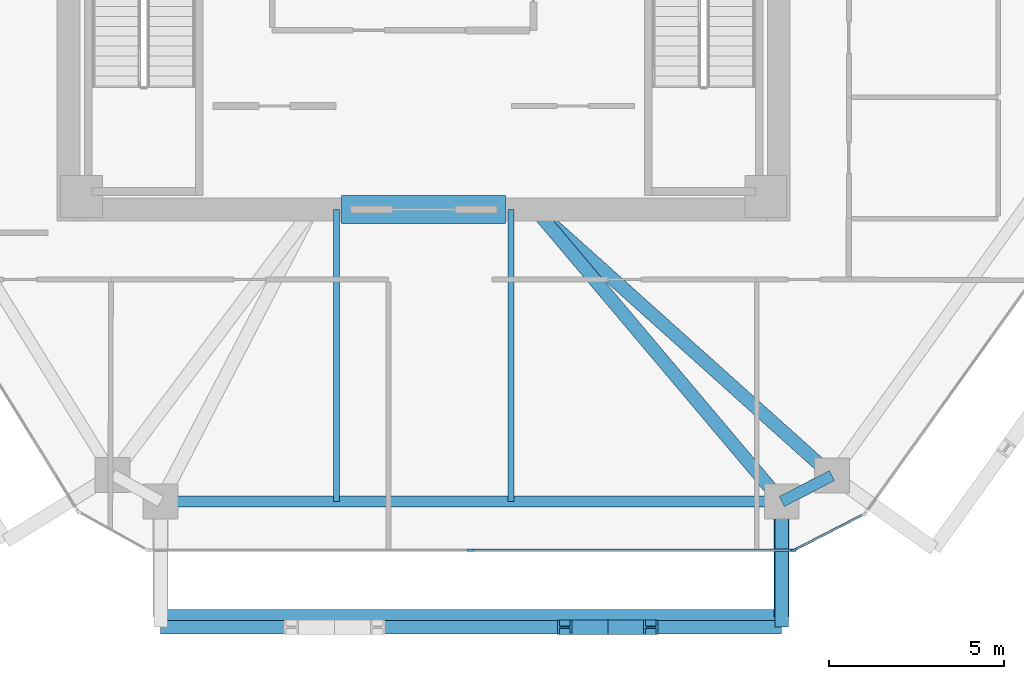
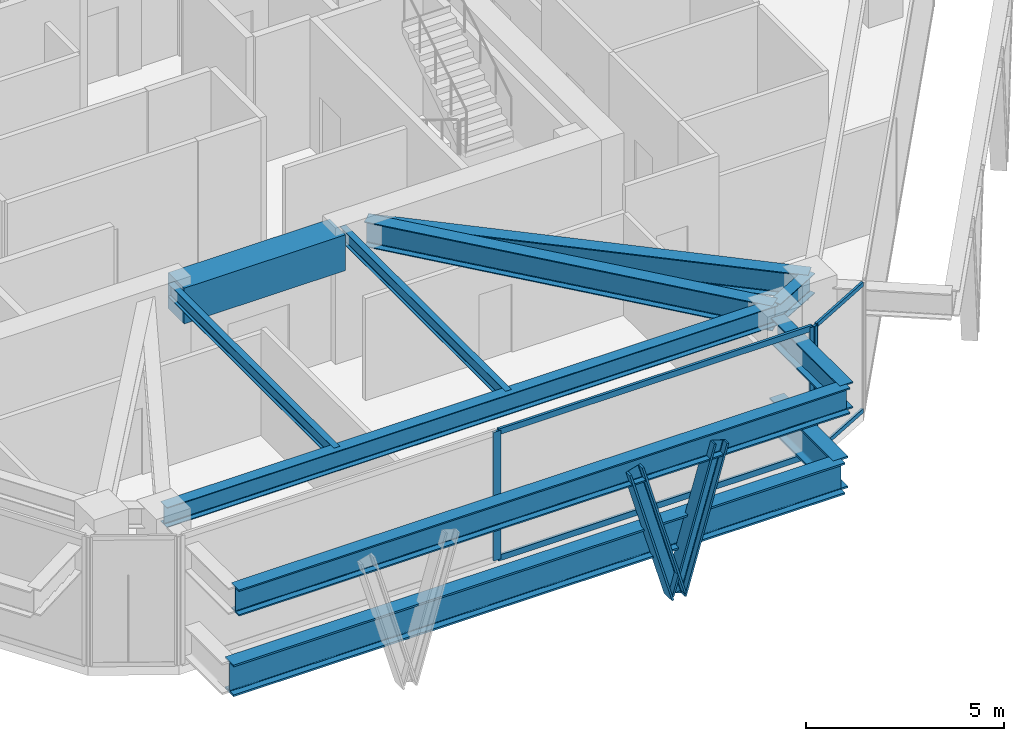
# One storey, part 3 of 11: 11 beams, 9 members, 2 elements without a shape of their own.
"""IFC4 building model written with IfcOpenShell, lengths in metres."""

from ifc_helpers import new_model, si_unit, direction, frame, origin, origin_2d, place, context, subcontext, project, spatial, rectangle, i_section, extrude, source, transform, mapped, material, layer, layer_set, material_profile, profile_set, type_object, type_shapes, element, aggregate, save


model = new_model("IFC4")

# Units and contexts
model_context = context("Model", 3, precision=1e-05, world=origin(), true_north=direction((0.0, 1.0)))
body_context = subcontext(model_context, "Body", "Model", "MODEL_VIEW")
ifc_project = project(units=[si_unit("LENGTHUNIT", "METRE"), si_unit("AREAUNIT", "SQUARE_METRE"), si_unit("VOLUMEUNIT", "CUBIC_METRE"), si_unit("PLANEANGLEUNIT", "RADIAN"), si_unit("MASSUNIT", "GRAM", prefix="KILO")], contexts=[model_context])

# Site, building, storey
site_placement = place(None, origin())
site = spatial("IfcSite", under=ifc_project, at=site_placement, CompositionType="ELEMENT")
building_placement = place(site_placement, origin())
building = spatial("IfcBuilding", under=site, at=building_placement, Name="Durnholm Broadcast Tower", CompositionType="ELEMENT")
storey_placement = place(building_placement, frame((0.0, 0.0, 155.10009765625)))
storey = spatial("IfcBuildingStorey", under=building, at=storey_placement, Name="L42", CompositionType="ELEMENT", Elevation=155.10009765625)

# Beams
ifc_material_1 = material(Name="Steel ASTM A992 Grade 50", Category="steel")
ifc_material_profile_1 = material_profile(ifc_material_1, i_section(OverallWidth=0.385009765625, OverallDepth=0.802978515625, WebThickness=0.023681640625, FlangeThickness=0.0419921875, FilletRadius=0.032958984375, at=origin_2d()), Name="W30X261")
ifc_profile_set_1 = profile_set([ifc_material_profile_1], Name="Steel ASTM A992 Grade 50")
beam_type_1 = type_object("IfcBeamType", Name="BM-EXO-TIE", PredefinedType="USERDEFINED", material=ifc_profile_set_1)
shared_shape_1 = source(origin(), body_context, "Body", "SweptSolid", [
    extrude(i_section(OverallWidth=0.385009765625, OverallDepth=0.802978515625, WebThickness=0.023681640625, FlangeThickness=0.0419921875, FilletRadius=0.032958984375, at=origin_2d()), origin(), (0.0, 0.0, 1.0), 3.4560546875),
])
beam_1_placement = place(storey_placement, frame((10.256591796875, -16.68603515625, 3.20849609375), z_axis=(0.0, -1.0, 0.0), x_axis=(1.0, 0.0, 0.0)))
element("IfcBeam", 1, at=beam_1_placement, inside=storey, type_object=beam_type_1, Name="L42 exoskeleton stand-off tie bracket F1.2", ObjectType="GIRDER", PredefinedType="USERDEFINED", context=body_context, shape_type="MappedRepresentation", body=[
    mapped(shared_shape_1, transform((0.0, 0.0, 0.0), x_axis=(1.0, 0.0, 0.0), y_axis=(0.0, 1.0, 0.0), z_axis=(0.0, 0.0, 1.0), scale=1.0)),
])
ifc_material_2 = material(Name="Concrete C70/85", Category="concrete")
ifc_material_profile_2 = material_profile(ifc_material_2, rectangle(XDim=0.800048828125, YDim=1.10009765625, at=origin_2d()), Name="RC800X1100")
ifc_profile_set_2 = profile_set([ifc_material_profile_2], Name="Concrete C70/85")
beam_type_2 = type_object("IfcBeamType", Name="BM-CB-RC1100", PredefinedType="LINTEL", material=ifc_profile_set_2)
shared_shape_2 = source(origin(), body_context, "Body", "SweptSolid", [
    extrude(rectangle(XDim=0.800048828125, YDim=1.10009765625, at=origin_2d()), origin(), (0.0, 0.0, 1.0), 4.7001953125),
])
type_shapes(beam_type_2, [shared_shape_2])
beam_2_placement = place(storey_placement, frame((-2.35009765625, -8.175048828125, 3.40478515625), z_axis=(1.0, 0.0, 0.0), x_axis=(0.0, 1.0, 0.0)))
element("IfcBeam", 2, at=beam_2_placement, inside=storey, type_object=beam_type_2, Name="L42 south core coupling lintel beam CB-S", PredefinedType="LINTEL", context=body_context, shape_type="MappedRepresentation", body=[
    mapped(shared_shape_2, transform((0.0, 0.0, 0.0), x_axis=(1.0, 0.0, 0.0), y_axis=(0.0, 1.0, 0.0), z_axis=(0.0, 0.0, 1.0), scale=1.0)),
])
ifc_material_profile_3 = material_profile(ifc_material_1, i_section(OverallWidth=0.3251953125, OverallDepth=0.6162109375, WebThickness=0.013916015625, FlangeThickness=0.021484375, FilletRadius=0.02783203125, at=origin_2d()), Name="W24X117")
ifc_profile_set_3 = profile_set([ifc_material_profile_3], Name="Steel ASTM A992 Grade 50")
beam_type_3 = type_object("IfcBeamType", Name="STL-SP-W24X117", PredefinedType="SPANDREL", material=ifc_profile_set_3)
shared_shape_3 = source(origin(), body_context, "Body", "SweptSolid", [
    extrude(i_section(OverallWidth=0.3251953125, OverallDepth=0.6162109375, WebThickness=0.013916015625, FlangeThickness=0.021484375, FilletRadius=0.02783203125, at=origin_2d()), origin(), (0.0, 0.0, 1.0), 1.62255859375),
])
beam_3_placement = place(storey_placement, frame((11.69970703125, -15.80029296875, 3.63671875), z_axis=(-0.889406668864, -0.45711680934, 0.0), x_axis=(0.45711680934, -0.889406668864, 0.0)))
element("IfcBeam", 3, at=beam_3_placement, inside=storey, type_object=beam_type_3, Name="L42 perimeter spandrel girder 10", PredefinedType="SPANDREL", context=body_context, shape_type="MappedRepresentation", body=[
    mapped(shared_shape_3, transform((0.0, 0.0, 0.0), x_axis=(1.0, 0.0, 0.0), y_axis=(0.0, 1.0, 0.0), z_axis=(0.0, 0.0, 1.0), scale=1.0)),
])
shared_shape_4 = source(origin(), body_context, "Body", "SweptSolid", [
    extrude(i_section(OverallWidth=0.3251953125, OverallDepth=0.6162109375, WebThickness=0.013916015625, FlangeThickness=0.021484375, FilletRadius=0.02783203125, at=origin_2d()), origin(), (0.0, 0.0, 1.0), 17.796142578125),
])
type_shapes(beam_type_3, [shared_shape_3, shared_shape_4])
beam_4_placement = place(storey_placement, frame((10.256591796875, -16.5419921875, 3.63671875), z_axis=(-1.0, 0.0, 0.0), x_axis=(0.0, -1.0, 0.0)))
element("IfcBeam", 4, at=beam_4_placement, inside=storey, type_object=beam_type_3, Name="L42 perimeter spandrel girder 11", PredefinedType="SPANDREL", context=body_context, shape_type="MappedRepresentation", body=[
    mapped(shared_shape_4, transform((0.0, 0.0, 0.0), x_axis=(1.0, 0.0, 0.0), y_axis=(0.0, 1.0, 0.0), z_axis=(0.0, 0.0, 1.0), scale=1.0)),
])
shared_shape_5 = source(origin(), body_context, "Body", "SweptSolid", [
    extrude(i_section(OverallWidth=0.385009765625, OverallDepth=0.802978515625, WebThickness=0.023681640625, FlangeThickness=0.0419921875, FilletRadius=0.032958984375, at=origin_2d()), origin(), (0.0, 0.0, 1.0), 17.796142578125),
])
type_shapes(beam_type_1, [shared_shape_1, shared_shape_5])
beam_5_placement = place(storey_placement, frame((-7.53955078125, -20.14208984375, 3.20849609375), z_axis=(1.0, 0.0, 0.0), x_axis=(0.0, 1.0, 0.0)))
element("IfcBeam", 5, at=beam_5_placement, inside=storey, type_object=beam_type_1, Name="L42 exoskeleton collector spandrel F1", PredefinedType="SPANDREL", context=body_context, shape_type="MappedRepresentation", body=[
    mapped(shared_shape_5, transform((0.0, 0.0, 0.0), x_axis=(1.0, 0.0, 0.0), y_axis=(0.0, 1.0, 0.0), z_axis=(0.0, 0.0, 1.0), scale=1.0)),
])
ifc_material_profile_4 = material_profile(ifc_material_1, i_section(OverallWidth=0.380615234375, OverallDepth=0.773193359375, WebThickness=0.0166015625, FlangeThickness=0.027099609375, FilletRadius=0.032958984375, at=origin_2d()), Name="W30X173")
ifc_profile_set_4 = profile_set([ifc_material_profile_4], Name="Steel ASTM A992 Grade 50")
beam_type_4 = type_object("IfcBeamType", Name="STL-GR-W30X173", PredefinedType="USERDEFINED", material=ifc_profile_set_4)
shared_shape_6 = source(origin(), body_context, "Body", "SweptSolid", [
    extrude(i_section(OverallWidth=0.380615234375, OverallDepth=0.773193359375, WebThickness=0.0166015625, FlangeThickness=0.027099609375, FilletRadius=0.032958984375, at=origin_2d()), origin(), (0.0, 0.0, 1.0), 11.4189453125),
])
beam_6_placement = place(storey_placement, frame((3.199951171875, -8.175048828125, 3.558349609375), z_axis=(0.744361631918, -0.667776729849, 0.0), x_axis=(0.667776729849, 0.744361631918, 0.0)))
element("IfcBeam", 6, at=beam_6_placement, inside=storey, type_object=beam_type_4, Name="L42 radial primary floor girder 10", ObjectType="GIRDER", PredefinedType="USERDEFINED", context=body_context, shape_type="MappedRepresentation", body=[
    mapped(shared_shape_6, transform((0.0, 0.0, 0.0), x_axis=(1.0, 0.0, 0.0), y_axis=(0.0, 1.0, 0.0), z_axis=(0.0, 0.0, 1.0), scale=1.0)),
])
shared_shape_7 = source(origin(), body_context, "Body", "SweptSolid", [
    extrude(i_section(OverallWidth=0.380615234375, OverallDepth=0.773193359375, WebThickness=0.0166015625, FlangeThickness=0.027099609375, FilletRadius=0.032958984375, at=origin_2d()), origin(), (0.0, 0.0, 1.0), 10.9453125),
])
type_shapes(beam_type_4, [shared_shape_6, shared_shape_7])
beam_7_placement = place(storey_placement, frame((3.199951171875, -8.175048828125, 3.558349609375), z_axis=(0.644712536066, -0.764425108065, 0.0), x_axis=(0.764425108065, 0.644712536066, 0.0)))
element("IfcBeam", 7, at=beam_7_placement, inside=storey, type_object=beam_type_4, Name="L42 radial primary floor girder 11", ObjectType="GIRDER", PredefinedType="USERDEFINED", context=body_context, shape_type="MappedRepresentation", body=[
    mapped(shared_shape_7, transform((0.0, 0.0, 0.0), x_axis=(1.0, 0.0, 0.0), y_axis=(0.0, 1.0, 0.0), z_axis=(0.0, 0.0, 1.0), scale=1.0)),
])
ifc_material_profile_5 = material_profile(ifc_material_1, i_section(OverallWidth=0.177734375, OverallDepth=0.40673828125, WebThickness=0.0078125, FlangeThickness=0.0126953125, FilletRadius=0.01904296875, at=origin_2d()), Name="W16X40")
ifc_profile_set_5 = profile_set([ifc_material_profile_5], Name="Steel ASTM A992 Grade 50")
beam_type_5 = type_object("IfcBeamType", Name="STL-BJ-W16X40", PredefinedType="JOIST", material=ifc_profile_set_5)
shared_shape_8 = source(origin(), body_context, "Body", "SweptSolid", [
    extrude(i_section(OverallWidth=0.177734375, OverallDepth=0.40673828125, WebThickness=0.0078125, FlangeThickness=0.0126953125, FilletRadius=0.01904296875, at=origin_2d()), origin(), (0.0, 0.0, 1.0), 8.366943359375),
])
type_shapes(beam_type_5, [shared_shape_8])
for number, where, z_axis, x_axis, name in (
    (8, (-2.5, -16.5419921875, 3.74169921875), (0.0, 1.0, 0.0), (-1.0, 0.0, 0.0), "L42 secondary floor joist 5.1"),
    (9, (2.5, -16.5419921875, 3.74169921875), (0.0, 1.0, 0.0), (-1.0, 0.0, 0.0), "L42 secondary floor joist 6.1"),
):
    element("IfcBeam", number, at=place(storey_placement, frame(where, z_axis=z_axis, x_axis=x_axis)), inside=storey, type_object=beam_type_5, Name=name, PredefinedType="JOIST", context=body_context, shape_type="MappedRepresentation", body=[
        mapped(shared_shape_8, transform((0.0, 0.0, 0.0), x_axis=(1.0, 0.0, 0.0), y_axis=(0.0, 1.0, 0.0), z_axis=(0.0, 0.0, 1.0), scale=1.0)),
    ])

# Members
ifc_material_3 = material(Name="Steel ASTM A913 Grade 65", Category="steel")
ifc_material_profile_6 = material_profile(ifc_material_3, i_section(OverallWidth=0.412109375, OverallDepth=0.434814453125, WebThickness=0.035888671875, FlangeThickness=0.057373046875, FilletRadius=0.030517578125, at=origin_2d()), Name="W14X311")
ifc_profile_set_6 = profile_set([ifc_material_profile_6], Name="Steel ASTM A913 Grade 65")
member_type_1 = type_object("IfcMemberType", Name="STL-DG-W14X311", PredefinedType="BRACE", material=ifc_profile_set_6)
shared_shape_9 = source(origin(), body_context, "Body", "SweptSolid", [
    extrude(i_section(OverallWidth=0.412109375, OverallDepth=0.434814453125, WebThickness=0.035888671875, FlangeThickness=0.057373046875, FilletRadius=0.030517578125, at=origin_2d()), origin(), (0.0, 0.0, 1.0), 4.454345703125),
])
type_shapes(member_type_1, [shared_shape_9])
for number, where, z_axis, x_axis, name in (
    (10, (5.273681640625, -20.14208984375, -1.071533203125), (-0.277007876945, 0.0, 0.960867647551), (0.0, -1.0, 0.0), "L42 stand-off diagrid brace F1.D2.1"),
    (11, (5.273681640625, -20.14208984375, -1.071533203125), (0.277007876945, 0.0, 0.960867647551), (0.0, 1.0, 0.0), "L42 stand-off diagrid brace F1.D2.2"),
):
    element("IfcMember", number, at=place(storey_placement, frame(where, z_axis=z_axis, x_axis=x_axis)), inside=storey, type_object=member_type_1, Name=name, PredefinedType="BRACE", context=body_context, shape_type="MappedRepresentation", body=[
        mapped(shared_shape_9, transform((0.0, 0.0, 0.0), x_axis=(1.0, 0.0, 0.0), y_axis=(0.0, 1.0, 0.0), z_axis=(0.0, 0.0, 1.0), scale=1.0)),
    ])

# Beams
ifc_material_profile_7 = material_profile(ifc_material_1, i_section(OverallWidth=0.427490234375, OverallDepth=0.9755859375, WebThickness=0.031005859375, FlangeThickness=0.055908203125, FilletRadius=0.0380859375, at=origin_2d()), Name="W36X395")
ifc_profile_set_7 = profile_set([ifc_material_profile_7], Name="Steel ASTM A992 Grade 50")
beam_type_6 = type_object("IfcBeamType", Name="STL-GR-W36X395", PredefinedType="USERDEFINED", material=ifc_profile_set_7)
shared_shape_10 = source(origin(), body_context, "Body", "SweptSolid", [
    extrude(i_section(OverallWidth=0.427490234375, OverallDepth=0.9755859375, WebThickness=0.031005859375, FlangeThickness=0.055908203125, FilletRadius=0.0380859375, at=origin_2d()), origin(), (0.0, 0.0, 1.0), 17.796142578125),
])
beam_8_placement = place(storey_placement, frame((-7.53955078125, -19.85205078125, 0.64990234375), z_axis=(1.0, 0.0, 0.0), x_axis=(0.0, 1.0, 0.0)))
element("IfcBeam", 12, at=beam_8_placement, inside=storey, type_object=beam_type_6, Name="L42 sky-pool stand-off collector spandrel girder", PredefinedType="SPANDREL", context=body_context, shape_type="MappedRepresentation", body=[
    mapped(shared_shape_10, transform((0.0, 0.0, 0.0), x_axis=(1.0, 0.0, 0.0), y_axis=(0.0, 1.0, 0.0), z_axis=(0.0, 0.0, 1.0), scale=1.0)),
])
shared_shape_11 = source(origin(), body_context, "Body", "SweptSolid", [
    extrude(i_section(OverallWidth=0.427490234375, OverallDepth=0.9755859375, WebThickness=0.031005859375, FlangeThickness=0.055908203125, FilletRadius=0.0380859375, at=origin_2d()), origin(), (0.0, 0.0, 1.0), 3.2099609375),
])
type_shapes(beam_type_6, [shared_shape_10, shared_shape_11])
beam_9_placement = place(storey_placement, frame((10.256591796875, -16.64208984375, 0.64990234375), z_axis=(0.0, -1.0, 0.0), x_axis=(1.0, 0.0, 0.0)))
element("IfcBeam", 13, at=beam_9_placement, inside=storey, type_object=beam_type_6, Name="L42 sky-pool collector stand-off bracket 2", ObjectType="GIRDER", PredefinedType="USERDEFINED", context=body_context, shape_type="MappedRepresentation", body=[
    mapped(shared_shape_11, transform((0.0, 0.0, 0.0), x_axis=(1.0, 0.0, 0.0), y_axis=(0.0, 1.0, 0.0), z_axis=(0.0, 0.0, 1.0), scale=1.0)),
])

# Curtain wall, member
ifc_material_4 = material(Name="Aluminium and Solar Control IGU", Category="aluminium")
ifc_layer_1 = layer(ifc_material_4, 0.1650390625)
ifc_layer_set_1 = layer_set([ifc_layer_1], Name="Aluminium and Solar Control IGU")
curtain_wall_type_1 = type_object("IfcCurtainWallType", Name="CW-SYS-5", PredefinedType="NOTDEFINED", material=ifc_layer_set_1)
curtain_wall_1_placement = place(storey_placement, origin())
curtain_wall_1 = element("IfcCurtainWall", 14, at=curtain_wall_1_placement, inside=storey, type_object=curtain_wall_type_1, Name="L42 curtain wall CW-CORNER CW-L42-CRN-09", PredefinedType="NOTDEFINED")
ifc_material_5 = material(Name="Aluminium 6063-T6", Category="aluminium")
ifc_material_profile_8 = material_profile(ifc_material_5, rectangle(XDim=0.06494140625, YDim=0.1650390625, at=origin_2d()), Name="CWM65X165")
ifc_profile_set_8 = profile_set([ifc_material_profile_8], Name="Aluminium 6063-T6")
member_type_2 = type_object("IfcMemberType", Name="CW-SYS-5-MUL", PredefinedType="MULLION", material=ifc_profile_set_8)
shared_shape_12 = source(origin(), body_context, "Body", "SweptSolid", [
    extrude(rectangle(XDim=0.06494140625, YDim=0.1650390625, at=origin_2d()), origin(), (0.0, 0.0, 1.0), 3.9599609375),
])
type_shapes(member_type_2, [shared_shape_12])
member_1_placement = place(storey_placement, frame((10.624267578125, -17.92724609375, 0.0), z_axis=(0.0, 0.0, 1.0), x_axis=(0.457081764476, -0.889424679545, 0.0)))
member_1 = element("IfcMember", 15, at=member_1_placement, type_object=member_type_2, Name="CW-CORNER mullion 2", PredefinedType="MULLION", context=body_context, shape_type="MappedRepresentation", body=[
    mapped(shared_shape_12, transform((0.0, 0.0, 0.0), x_axis=(1.0, 0.0, 0.0), y_axis=(0.0, 1.0, 0.0), z_axis=(0.0, 0.0, 1.0), scale=1.0)),
])

# Curtain wall, members
ifc_layer_2 = layer(ifc_material_4, 0.219970703125)
ifc_layer_set_2 = layer_set([ifc_layer_2], Name="Aluminium and Solar Control IGU")
curtain_wall_type_2 = type_object("IfcCurtainWallType", Name="CW-SYS-6", PredefinedType="NOTDEFINED", material=ifc_layer_set_2)
curtain_wall_2_placement = place(storey_placement, origin())
curtain_wall_2 = element("IfcCurtainWall", 16, at=curtain_wall_2_placement, inside=storey, type_object=curtain_wall_type_2, Name="L42 curtain wall CW-AMENITY CW-L42-F10", PredefinedType="NOTDEFINED")
ifc_material_profile_9 = material_profile(ifc_material_5, rectangle(XDim=0.074951171875, YDim=0.219970703125, at=origin_2d()), Name="CWM75X220")
ifc_profile_set_9 = profile_set([ifc_material_profile_9], Name="Aluminium 6063-T6")
member_type_3 = type_object("IfcMemberType", Name="CW-SYS-6-MUL", PredefinedType="MULLION", material=ifc_profile_set_9)
shared_shape_13 = source(origin(), body_context, "Body", "SweptSolid", [
    extrude(rectangle(XDim=0.074951171875, YDim=0.219970703125, at=origin_2d()), origin(), (0.0, 0.0, 1.0), 3.9599609375),
])
type_shapes(member_type_3, [shared_shape_13])
member_2_placement = place(storey_placement, frame((10.557861328125, -17.94189453125, 0.0), z_axis=(0.0, 0.0, 1.0), x_axis=(0.0, -1.0, 0.0)))
member_2 = element("IfcMember", 17, at=member_2_placement, type_object=member_type_3, Name="CW-AMENITY mullion 1", PredefinedType="MULLION", context=body_context, shape_type="MappedRepresentation", body=[
    mapped(shared_shape_13, transform((0.0, 0.0, 0.0), x_axis=(1.0, 0.0, 0.0), y_axis=(0.0, 1.0, 0.0), z_axis=(0.0, 0.0, 1.0), scale=1.0)),
])
member_3_placement = place(storey_placement, frame((1.345947265625, -17.94189453125, 0.0), z_axis=(0.0, 0.0, 1.0), x_axis=(0.0, -1.0, 0.0)))
member_3 = element("IfcMember", 18, at=member_3_placement, type_object=member_type_3, Name="CW-AMENITY mullion 2", PredefinedType="MULLION", context=body_context, shape_type="MappedRepresentation", body=[
    mapped(shared_shape_13, transform((0.0, 0.0, 0.0), x_axis=(1.0, 0.0, 0.0), y_axis=(0.0, 1.0, 0.0), z_axis=(0.0, 0.0, 1.0), scale=1.0)),
])

# Member
ifc_material_profile_10 = material_profile(ifc_material_5, rectangle(XDim=0.06494140625, YDim=0.1298828125, at=origin_2d()), Name="CWT65X130")
ifc_profile_set_10 = profile_set([ifc_material_profile_10], Name="Aluminium 6063-T6")
member_type_4 = type_object("IfcMemberType", Name="CW-SYS-5-TRN", PredefinedType="USERDEFINED", material=ifc_profile_set_10)
shared_shape_14 = source(origin(), body_context, "Body", "SweptSolid", [
    extrude(rectangle(XDim=0.06494140625, YDim=0.1298828125, at=origin_2d()), origin(), (0.0, 0.0, 1.0), 2.170166015625),
])
type_shapes(member_type_4, [shared_shape_14])
member_4_placement = place(storey_placement, frame((12.583251953125, -16.92041015625, 0.032470703125), z_axis=(-0.889422414772, -0.457086171417, 0.0), x_axis=(0.457086171417, -0.889422414772, 0.0)))
member_4 = element("IfcMember", 19, at=member_4_placement, type_object=member_type_4, Name="CW-CORNER transom 1.1", ObjectType="TRANSOM", PredefinedType="USERDEFINED", context=body_context, shape_type="MappedRepresentation", body=[
    mapped(shared_shape_14, transform((0.0, 0.0, 0.0), x_axis=(1.0, 0.0, 0.0), y_axis=(0.0, 1.0, 0.0), z_axis=(0.0, 0.0, 1.0), scale=1.0)),
])

member_5_placement = place(storey_placement, frame((12.583251953125, -16.92041015625, 3.927490234375), z_axis=(-0.889422414772, -0.457086171417, 0.0), x_axis=(0.457086171417, -0.889422414772, 0.0)))
member_5 = element("IfcMember", 20, at=member_5_placement, type_object=member_type_4, Name="CW-CORNER transom 1.2", ObjectType="TRANSOM", PredefinedType="USERDEFINED", context=body_context, shape_type="MappedRepresentation", body=[
    mapped(shared_shape_14, transform((0.0, 0.0, 0.0), x_axis=(1.0, 0.0, 0.0), y_axis=(0.0, 1.0, 0.0), z_axis=(0.0, 0.0, 1.0), scale=1.0)),
])

aggregate(curtain_wall_1, [member_1, member_4, member_5])

ifc_material_profile_11 = material_profile(ifc_material_5, rectangle(XDim=0.074951171875, YDim=0.179931640625, at=origin_2d()), Name="CWT75X180")
ifc_profile_set_11 = profile_set([ifc_material_profile_11], Name="Aluminium 6063-T6")
member_type_5 = type_object("IfcMemberType", Name="CW-SYS-6-TRN", PredefinedType="USERDEFINED", material=ifc_profile_set_11)
shared_shape_15 = source(origin(), body_context, "Body", "SweptSolid", [
    extrude(rectangle(XDim=0.074951171875, YDim=0.179931640625, at=origin_2d()), origin(), (0.0, 0.0, 1.0), 9.13671875),
])
type_shapes(member_type_5, [shared_shape_15])
member_6_placement = place(storey_placement, frame((10.520263671875, -17.94189453125, 0.037353515625), z_axis=(-1.0, 0.0, 0.0), x_axis=(0.0, -1.0, 0.0)))
member_6 = element("IfcMember", 21, at=member_6_placement, type_object=member_type_5, Name="CW-AMENITY transom 1.1", ObjectType="TRANSOM", PredefinedType="USERDEFINED", context=body_context, shape_type="MappedRepresentation", body=[
    mapped(shared_shape_15, transform((0.0, 0.0, 0.0), x_axis=(1.0, 0.0, 0.0), y_axis=(0.0, 1.0, 0.0), z_axis=(0.0, 0.0, 1.0), scale=1.0)),
])

member_7_placement = place(storey_placement, frame((10.520263671875, -17.94189453125, 3.92236328125), z_axis=(-1.0, 0.0, 0.0), x_axis=(0.0, -1.0, 0.0)))
member_7 = element("IfcMember", 22, at=member_7_placement, type_object=member_type_5, Name="CW-AMENITY transom 1.2", ObjectType="TRANSOM", PredefinedType="USERDEFINED", context=body_context, shape_type="MappedRepresentation", body=[
    mapped(shared_shape_15, transform((0.0, 0.0, 0.0), x_axis=(1.0, 0.0, 0.0), y_axis=(0.0, 1.0, 0.0), z_axis=(0.0, 0.0, 1.0), scale=1.0)),
])

aggregate(curtain_wall_2, [member_2, member_3, member_6, member_7])

save(model, "model.ifc")
